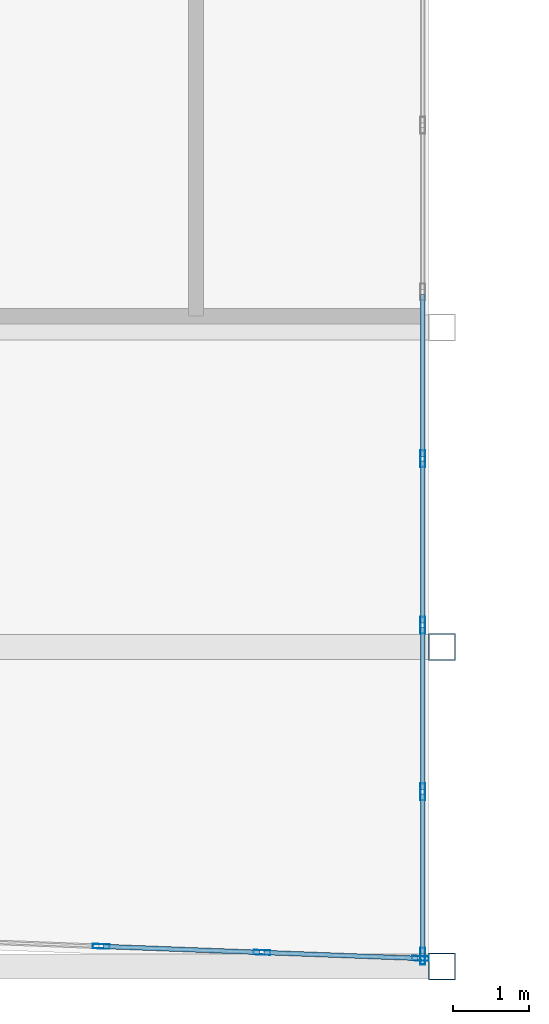
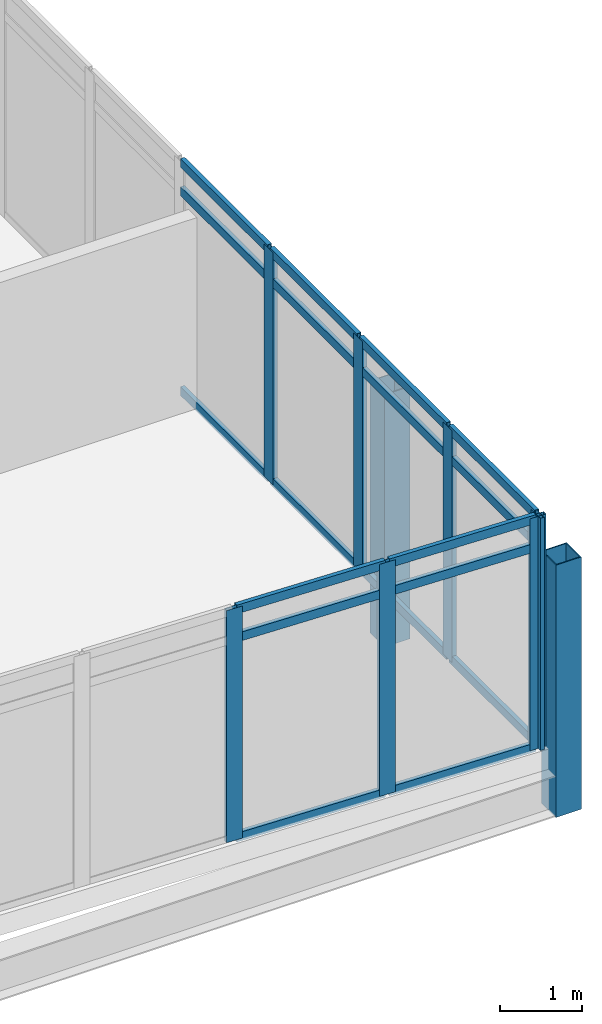
# One storey, part 6 of 25: 27 members, 2 elements without a shape of their own.
"""IFC4 building model written with IfcOpenShell, lengths in metres."""

from ifc_helpers import new_model, si_unit, direction, frame, origin, origin_2d, place, context, subcontext, project, spatial, hollow_rectangle, extrude, material, material_profile, profile_set, type_object, element, aggregate, save


model = new_model("IFC4")

# Units and contexts
model_context = context("Model", 3, precision=1e-05, world=origin(), true_north=direction((0.0, 1.0)))
body_context = subcontext(model_context, "Body", "Model", "MODEL_VIEW")
ifc_project = project(units=[si_unit("LENGTHUNIT", "METRE"), si_unit("AREAUNIT", "SQUARE_METRE"), si_unit("VOLUMEUNIT", "CUBIC_METRE"), si_unit("PLANEANGLEUNIT", "RADIAN"), si_unit("MASSUNIT", "GRAM", prefix="KILO")], contexts=[model_context])

# Site, building, storey
site_placement = place(None, origin())
site = spatial("IfcSite", under=ifc_project, at=site_placement, CompositionType="ELEMENT")
building_placement = place(site_placement, origin())
building = spatial("IfcBuilding", under=site, at=building_placement, Name="Ostrander Bayou Hotel Tower", CompositionType="ELEMENT")
storey_placement = place(building_placement, frame((0.0, 0.0, 229.5)))
storey = spatial("IfcBuildingStorey", under=building, at=storey_placement, Name="L57", CompositionType="ELEMENT", Elevation=229.5)

# Curtain wall, members
ifc_material_1 = material(Name="Aluminium and clear glass", Category="aluminium")
curtain_wall_type = type_object("IfcCurtainWallType", Name="CW-BAR glazed wall", PredefinedType="NOTDEFINED", material=ifc_material_1)
curtain_wall_1_placement = place(storey_placement, origin())
curtain_wall_1 = element("IfcCurtainWall", 1, at=curtain_wall_1_placement, inside=storey, type_object=curtain_wall_type, Name="CW-BAR L57:SB5S:T", PredefinedType="NOTDEFINED")
ifc_material_2 = material(Name="Aluminium", Category="aluminium")
ifc_material_profile_1 = material_profile(ifc_material_2, hollow_rectangle(XDim=0.06005859375, YDim=0.219970703125, WallThickness=0.00390625, at=origin_2d()))
ifc_profile_set_1 = profile_set([ifc_material_profile_1], Name="Aluminium")
member_type_1 = type_object("IfcMemberType", Name="CW-BR mullion 60 x 220 mm", PredefinedType="MULLION", material=ifc_profile_set_1)
member_1_placement = place(storey_placement, frame((6.307373046875, -29.23828125, 0.0), z_axis=(0.0, 0.0, 1.0), x_axis=(0.037757725854, 0.99928692283, 0.0)))
member_1 = element("IfcMember", 2, at=member_1_placement, type_object=member_type_1, Name="CW-BAR mullion 9", PredefinedType="MULLION", context=body_context, shape_type="SweptSolid", body=[
    extrude(hollow_rectangle(XDim=0.06005859375, YDim=0.219970703125, WallThickness=0.00390625, at=origin_2d()), origin(), (0.0, 0.0, 1.0), 3.449951171875),
])
member_2_placement = place(storey_placement, frame((8.40966796875, -29.31787109375, 0.0), z_axis=(0.0, 0.0, 1.0), x_axis=(0.037757725854, 0.99928692283, 0.0)))
member_2 = element("IfcMember", 3, at=member_2_placement, type_object=member_type_1, Name="CW-BAR mullion 10", PredefinedType="MULLION", context=body_context, shape_type="SweptSolid", body=[
    extrude(hollow_rectangle(XDim=0.06005859375, YDim=0.219970703125, WallThickness=0.00390625, at=origin_2d()), origin(), (0.0, 0.0, 1.0), 3.449951171875),
])
member_3_placement = place(storey_placement, frame((10.482177734375, -29.39599609375, 0.0), z_axis=(0.0, 0.0, 1.0), x_axis=(0.037757725854, 0.99928692283, 0.0)))
member_3 = element("IfcMember", 4, at=member_3_placement, type_object=member_type_1, Name="CW-BAR mullion 11", PredefinedType="MULLION", context=body_context, shape_type="SweptSolid", body=[
    extrude(hollow_rectangle(XDim=0.06005859375, YDim=0.219970703125, WallThickness=0.00390625, at=origin_2d()), origin(), (0.0, 0.0, 1.0), 3.449951171875),
])

curtain_wall_2_placement = place(storey_placement, origin())
curtain_wall_2 = element("IfcCurtainWall", 5, at=curtain_wall_2_placement, inside=storey, type_object=curtain_wall_type, Name="CW-BAR L57:SB5S:W", PredefinedType="NOTDEFINED")
member_4_placement = place(storey_placement, frame((10.51220703125, -22.8623046875, 0.0), z_axis=(0.0, 0.0, 1.0), x_axis=(1.0, 0.0, 0.0)))
member_4 = element("IfcMember", 6, at=member_4_placement, type_object=member_type_1, Name="CW-BAR mullion 7", PredefinedType="MULLION", context=body_context, shape_type="SweptSolid", body=[
    extrude(hollow_rectangle(XDim=0.06005859375, YDim=0.219970703125, WallThickness=0.00390625, at=origin_2d()), origin(), (0.0, 0.0, 1.0), 3.449951171875),
])
member_5_placement = place(storey_placement, frame((10.51220703125, -25.04052734375, 0.0), z_axis=(0.0, 0.0, 1.0), x_axis=(1.0, 0.0, 0.0)))
member_5 = element("IfcMember", 7, at=member_5_placement, type_object=member_type_1, Name="CW-BAR mullion 8", PredefinedType="MULLION", context=body_context, shape_type="SweptSolid", body=[
    extrude(hollow_rectangle(XDim=0.06005859375, YDim=0.219970703125, WallThickness=0.00390625, at=origin_2d()), origin(), (0.0, 0.0, 1.0), 3.449951171875),
])
member_6_placement = place(storey_placement, frame((10.51220703125, -27.218994140625, 0.0), z_axis=(0.0, 0.0, 1.0), x_axis=(1.0, 0.0, 0.0)))
member_6 = element("IfcMember", 8, at=member_6_placement, type_object=member_type_1, Name="CW-BAR mullion 9", PredefinedType="MULLION", context=body_context, shape_type="SweptSolid", body=[
    extrude(hollow_rectangle(XDim=0.06005859375, YDim=0.219970703125, WallThickness=0.00390625, at=origin_2d()), origin(), (0.0, 0.0, 1.0), 3.449951171875),
])
member_7_placement = place(storey_placement, frame((10.51220703125, -29.3671875, 0.0), z_axis=(0.0, 0.0, 1.0), x_axis=(1.0, 0.0, 0.0)))
member_7 = element("IfcMember", 9, at=member_7_placement, type_object=member_type_1, Name="CW-BAR mullion 10", PredefinedType="MULLION", context=body_context, shape_type="SweptSolid", body=[
    extrude(hollow_rectangle(XDim=0.06005859375, YDim=0.219970703125, WallThickness=0.00390625, at=origin_2d()), origin(), (0.0, 0.0, 1.0), 3.449951171875),
])

# Member
ifc_material_3 = material(Name="Aluminium", Category="aluminium")
ifc_material_profile_2 = material_profile(ifc_material_3, hollow_rectangle(XDim=0.06005859375, YDim=0.1298828125, WallThickness=0.00390625, at=origin_2d()))
ifc_profile_set_2 = profile_set([ifc_material_profile_2], Name="Aluminium")
member_type_2 = type_object("IfcMemberType", Name="CW-BR transom 60 x 130 mm", PredefinedType="USERDEFINED", material=ifc_profile_set_2)
member_8_placement = place(storey_placement, frame((6.33740234375, -29.239501953125, 0.030029296875), z_axis=(0.999287402917, -0.037745017849, 0.0), x_axis=(0.037745017849, 0.999287402917, 0.0)))
member_8 = element("IfcMember", 10, at=member_8_placement, type_object=member_type_2, Name="CW-BAR transom 9.1", ObjectType="TRANSOM", PredefinedType="USERDEFINED", context=body_context, shape_type="SweptSolid", body=[
    extrude(hollow_rectangle(XDim=0.06005859375, YDim=0.1298828125, WallThickness=0.00390625, at=origin_2d()), origin(), (0.0, 0.0, 1.0), 2.0439453125),
])

member_9_placement = place(storey_placement, frame((6.33740234375, -29.239501953125, 3.0), z_axis=(0.999287402917, -0.037745017849, 0.0), x_axis=(0.037745017849, 0.999287402917, 0.0)))
member_9 = element("IfcMember", 11, at=member_9_placement, type_object=member_type_2, Name="CW-BAR transom 9.2", ObjectType="TRANSOM", PredefinedType="USERDEFINED", context=body_context, shape_type="SweptSolid", body=[
    extrude(hollow_rectangle(XDim=0.06005859375, YDim=0.1298828125, WallThickness=0.00390625, at=origin_2d()), origin(), (0.0, 0.0, 1.0), 2.0439453125),
])

member_10_placement = place(storey_placement, frame((6.33740234375, -29.239501953125, 3.419921875), z_axis=(0.999287402917, -0.037745017849, 0.0), x_axis=(0.037745017849, 0.999287402917, 0.0)))
member_10 = element("IfcMember", 12, at=member_10_placement, type_object=member_type_2, Name="CW-BAR transom 9.3", ObjectType="TRANSOM", PredefinedType="USERDEFINED", context=body_context, shape_type="SweptSolid", body=[
    extrude(hollow_rectangle(XDim=0.06005859375, YDim=0.1298828125, WallThickness=0.00390625, at=origin_2d()), origin(), (0.0, 0.0, 1.0), 2.0439453125),
])

member_11_placement = place(storey_placement, frame((8.439697265625, -29.31884765625, 0.030029296875), z_axis=(0.999284446259, -0.0378232133, 0.0), x_axis=(0.0378232133, 0.999284446259, 0.0)))
member_11 = element("IfcMember", 13, at=member_11_placement, type_object=member_type_2, Name="CW-BAR transom 10.1", ObjectType="TRANSOM", PredefinedType="USERDEFINED", context=body_context, shape_type="SweptSolid", body=[
    extrude(hollow_rectangle(XDim=0.06005859375, YDim=0.1298828125, WallThickness=0.00390625, at=origin_2d()), origin(), (0.0, 0.0, 1.0), 2.013916015625),
])

member_12_placement = place(storey_placement, frame((8.439697265625, -29.31884765625, 3.0), z_axis=(0.999284446259, -0.0378232133, 0.0), x_axis=(0.0378232133, 0.999284446259, 0.0)))
member_12 = element("IfcMember", 14, at=member_12_placement, type_object=member_type_2, Name="CW-BAR transom 10.2", ObjectType="TRANSOM", PredefinedType="USERDEFINED", context=body_context, shape_type="SweptSolid", body=[
    extrude(hollow_rectangle(XDim=0.06005859375, YDim=0.1298828125, WallThickness=0.00390625, at=origin_2d()), origin(), (0.0, 0.0, 1.0), 2.013916015625),
])

member_13_placement = place(storey_placement, frame((8.439697265625, -29.31884765625, 3.419921875), z_axis=(0.999284446259, -0.0378232133, 0.0), x_axis=(0.0378232133, 0.999284446259, 0.0)))
member_13 = element("IfcMember", 15, at=member_13_placement, type_object=member_type_2, Name="CW-BAR transom 10.3", ObjectType="TRANSOM", PredefinedType="USERDEFINED", context=body_context, shape_type="SweptSolid", body=[
    extrude(hollow_rectangle(XDim=0.06005859375, YDim=0.1298828125, WallThickness=0.00390625, at=origin_2d()), origin(), (0.0, 0.0, 1.0), 2.013916015625),
])

aggregate(curtain_wall_1, [member_1, member_2, member_3, member_8, member_9, member_10, member_11, member_12, member_13])

member_14_placement = place(storey_placement, frame((10.51220703125, -20.7138671875, 0.030029296875), z_axis=(0.0, -1.0, 0.0), x_axis=(1.0, 0.0, 0.0)))
member_14 = element("IfcMember", 16, at=member_14_placement, type_object=member_type_2, Name="CW-BAR transom 6.1", ObjectType="TRANSOM", PredefinedType="USERDEFINED", context=body_context, shape_type="SweptSolid", body=[
    extrude(hollow_rectangle(XDim=0.06005859375, YDim=0.1298828125, WallThickness=0.00390625, at=origin_2d()), origin(), (0.0, 0.0, 1.0), 2.118408203125),
])

member_15_placement = place(storey_placement, frame((10.51220703125, -20.7138671875, 3.0), z_axis=(0.0, -1.0, 0.0), x_axis=(1.0, 0.0, 0.0)))
member_15 = element("IfcMember", 17, at=member_15_placement, type_object=member_type_2, Name="CW-BAR transom 6.2", ObjectType="TRANSOM", PredefinedType="USERDEFINED", context=body_context, shape_type="SweptSolid", body=[
    extrude(hollow_rectangle(XDim=0.06005859375, YDim=0.1298828125, WallThickness=0.00390625, at=origin_2d()), origin(), (0.0, 0.0, 1.0), 2.118408203125),
])

member_16_placement = place(storey_placement, frame((10.51220703125, -20.7138671875, 3.419921875), z_axis=(0.0, -1.0, 0.0), x_axis=(1.0, 0.0, 0.0)))
member_16 = element("IfcMember", 18, at=member_16_placement, type_object=member_type_2, Name="CW-BAR transom 6.3", ObjectType="TRANSOM", PredefinedType="USERDEFINED", context=body_context, shape_type="SweptSolid", body=[
    extrude(hollow_rectangle(XDim=0.06005859375, YDim=0.1298828125, WallThickness=0.00390625, at=origin_2d()), origin(), (0.0, 0.0, 1.0), 2.118408203125),
])

member_17_placement = place(storey_placement, frame((10.51220703125, -22.892333984375, 0.030029296875), z_axis=(0.0, -1.0, 0.0), x_axis=(1.0, 0.0, 0.0)))
member_17 = element("IfcMember", 19, at=member_17_placement, type_object=member_type_2, Name="CW-BAR transom 7.1", ObjectType="TRANSOM", PredefinedType="USERDEFINED", context=body_context, shape_type="SweptSolid", body=[
    extrude(hollow_rectangle(XDim=0.06005859375, YDim=0.1298828125, WallThickness=0.00390625, at=origin_2d()), origin(), (0.0, 0.0, 1.0), 2.1181640625),
])

member_18_placement = place(storey_placement, frame((10.51220703125, -22.892333984375, 3.0), z_axis=(0.0, -1.0, 0.0), x_axis=(1.0, 0.0, 0.0)))
member_18 = element("IfcMember", 20, at=member_18_placement, type_object=member_type_2, Name="CW-BAR transom 7.2", ObjectType="TRANSOM", PredefinedType="USERDEFINED", context=body_context, shape_type="SweptSolid", body=[
    extrude(hollow_rectangle(XDim=0.06005859375, YDim=0.1298828125, WallThickness=0.00390625, at=origin_2d()), origin(), (0.0, 0.0, 1.0), 2.1181640625),
])

member_19_placement = place(storey_placement, frame((10.51220703125, -22.892333984375, 3.419921875), z_axis=(0.0, -1.0, 0.0), x_axis=(1.0, 0.0, 0.0)))
member_19 = element("IfcMember", 21, at=member_19_placement, type_object=member_type_2, Name="CW-BAR transom 7.3", ObjectType="TRANSOM", PredefinedType="USERDEFINED", context=body_context, shape_type="SweptSolid", body=[
    extrude(hollow_rectangle(XDim=0.06005859375, YDim=0.1298828125, WallThickness=0.00390625, at=origin_2d()), origin(), (0.0, 0.0, 1.0), 2.1181640625),
])

member_20_placement = place(storey_placement, frame((10.51220703125, -25.070556640625, 0.030029296875), z_axis=(0.0, -1.0, 0.0), x_axis=(1.0, 0.0, 0.0)))
member_20 = element("IfcMember", 22, at=member_20_placement, type_object=member_type_2, Name="CW-BAR transom 8.1", ObjectType="TRANSOM", PredefinedType="USERDEFINED", context=body_context, shape_type="SweptSolid", body=[
    extrude(hollow_rectangle(XDim=0.06005859375, YDim=0.1298828125, WallThickness=0.00390625, at=origin_2d()), origin(), (0.0, 0.0, 1.0), 2.118408203125),
])

member_21_placement = place(storey_placement, frame((10.51220703125, -25.070556640625, 3.0), z_axis=(0.0, -1.0, 0.0), x_axis=(1.0, 0.0, 0.0)))
member_21 = element("IfcMember", 23, at=member_21_placement, type_object=member_type_2, Name="CW-BAR transom 8.2", ObjectType="TRANSOM", PredefinedType="USERDEFINED", context=body_context, shape_type="SweptSolid", body=[
    extrude(hollow_rectangle(XDim=0.06005859375, YDim=0.1298828125, WallThickness=0.00390625, at=origin_2d()), origin(), (0.0, 0.0, 1.0), 2.118408203125),
])

member_22_placement = place(storey_placement, frame((10.51220703125, -25.070556640625, 3.419921875), z_axis=(0.0, -1.0, 0.0), x_axis=(1.0, 0.0, 0.0)))
member_22 = element("IfcMember", 24, at=member_22_placement, type_object=member_type_2, Name="CW-BAR transom 8.3", ObjectType="TRANSOM", PredefinedType="USERDEFINED", context=body_context, shape_type="SweptSolid", body=[
    extrude(hollow_rectangle(XDim=0.06005859375, YDim=0.1298828125, WallThickness=0.00390625, at=origin_2d()), origin(), (0.0, 0.0, 1.0), 2.118408203125),
])

member_23_placement = place(storey_placement, frame((10.51220703125, -27.248779296875, 0.030029296875), z_axis=(0.0, -1.0, 0.0), x_axis=(1.0, 0.0, 0.0)))
member_23 = element("IfcMember", 25, at=member_23_placement, type_object=member_type_2, Name="CW-BAR transom 9.1", ObjectType="TRANSOM", PredefinedType="USERDEFINED", context=body_context, shape_type="SweptSolid", body=[
    extrude(hollow_rectangle(XDim=0.06005859375, YDim=0.1298828125, WallThickness=0.00390625, at=origin_2d()), origin(), (0.0, 0.0, 1.0), 2.08837890625),
])

member_24_placement = place(storey_placement, frame((10.51220703125, -27.248779296875, 3.0), z_axis=(0.0, -1.0, 0.0), x_axis=(1.0, 0.0, 0.0)))
member_24 = element("IfcMember", 26, at=member_24_placement, type_object=member_type_2, Name="CW-BAR transom 9.2", ObjectType="TRANSOM", PredefinedType="USERDEFINED", context=body_context, shape_type="SweptSolid", body=[
    extrude(hollow_rectangle(XDim=0.06005859375, YDim=0.1298828125, WallThickness=0.00390625, at=origin_2d()), origin(), (0.0, 0.0, 1.0), 2.08837890625),
])

member_25_placement = place(storey_placement, frame((10.51220703125, -27.248779296875, 3.419921875), z_axis=(0.0, -1.0, 0.0), x_axis=(1.0, 0.0, 0.0)))
member_25 = element("IfcMember", 27, at=member_25_placement, type_object=member_type_2, Name="CW-BAR transom 9.3", ObjectType="TRANSOM", PredefinedType="USERDEFINED", context=body_context, shape_type="SweptSolid", body=[
    extrude(hollow_rectangle(XDim=0.06005859375, YDim=0.1298828125, WallThickness=0.00390625, at=origin_2d()), origin(), (0.0, 0.0, 1.0), 2.08837890625),
])

aggregate(curtain_wall_2, [member_4, member_5, member_6, member_7, member_14, member_15, member_16, member_17, member_18, member_19, member_20, member_21, member_22, member_23, member_24, member_25])

# Members
ifc_material_4 = material(Name="Steel ASTM A500 Gr C", Category="steel")
ifc_material_profile_3 = material_profile(ifc_material_4, hollow_rectangle(XDim=0.355712890625, YDim=0.355712890625, WallThickness=0.0146484375, at=origin_2d()))
ifc_profile_set_3 = profile_set([ifc_material_profile_3], Name="Steel ASTM A500 Gr C")
member_type_3 = type_object("IfcMemberType", Name="TH1 bar hanger HSS14x14x5/8", PredefinedType="POST", material=ifc_profile_set_3)
for number, where, z_axis, x_axis, name in (
    (28, (10.764892578125, -25.32373046875, -0.9111328125), (0.0, 0.0, 1.0), (1.0, 0.0, 0.0), "TH1 SB5SB H2-3"),
    (29, (10.764892578125, -29.5, -0.9111328125), (0.0, 0.0, 1.0), (1.0, 0.0, 0.0), "TH1 SB5SB H3-3"),
):
    element("IfcMember", number, at=place(storey_placement, frame(where, z_axis=z_axis, x_axis=x_axis)), inside=storey, type_object=member_type_3, Name=name, PredefinedType="POST", context=body_context, shape_type="SweptSolid", body=[
        extrude(hollow_rectangle(XDim=0.355712890625, YDim=0.355712890625, WallThickness=0.0146484375, at=origin_2d()), origin(), (0.0, 0.0, 1.0), 3.75),
    ])

save(model, "model.ifc")
